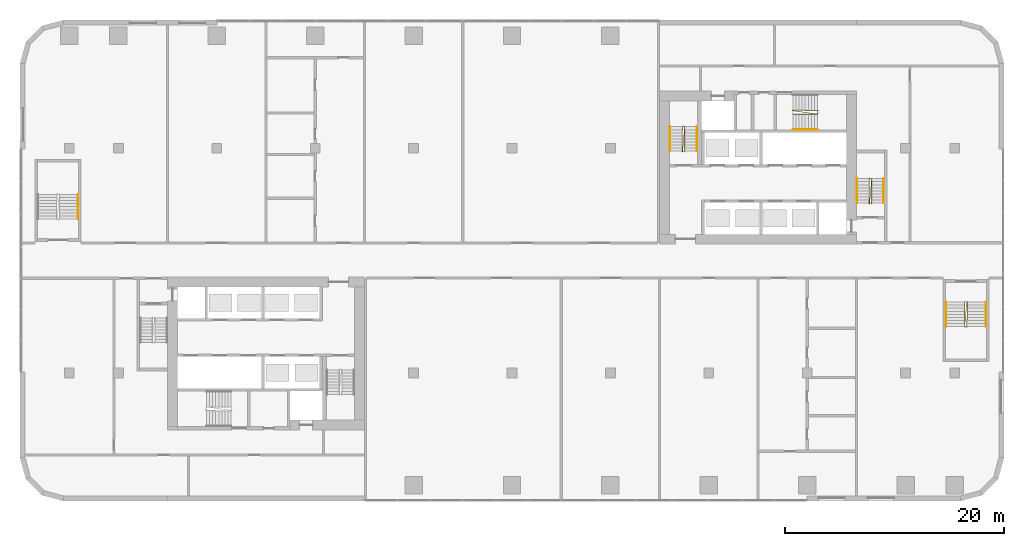
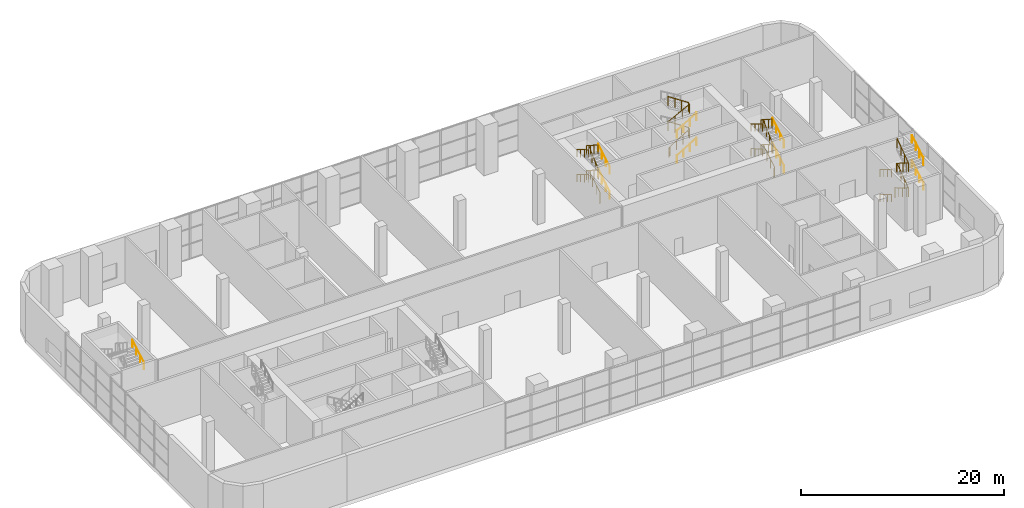
# One storey, part 25 of 27: 19 railings.
"""IFC4 building model written with IfcOpenShell, lengths in metres."""

import ifcopenshell
import ifcopenshell.guid

model = None  # the IFC model being written
_history = None  # IfcOwnerHistory: only IFC2X3 demands one
_inside = {}  # id of a spatial element -> (the spatial element, [elements in it])
_under = {}  # id of a project, library or spatial element -> (it, [spatial elements below it])
_declared = {}  # id of a project -> (the project, [libraries it declares])
_typed = {}  # id of a type object -> (the type object, [elements of that type])
_made_of = {}  # id of a material, layer set ... -> (it, [elements and type objects made of it])


def new_model(schema):
    """Start an empty IFC model of exactly this schema.

    Asked for "IFC4X3", IfcOpenShell would pick the latest addendum, in which some entities
    have other attributes; the version numbers below select the first issue.
    IFC2X3 requires an IfcOwnerHistory on every rooted entity: one is made here for all.
    """
    global model, _history
    if schema == "IFC4X3":
        model = ifcopenshell.file(schema_version=(4, 3, 0, 0))
    else:
        model = ifcopenshell.file(schema=schema)
    _inside.clear()
    _under.clear()
    _declared.clear()
    _typed.clear()
    _made_of.clear()
    _history = None
    if model.schema == "IFC2X3":
        org = make("IfcOrganization", Name="unknown")
        user = make(
            "IfcPersonAndOrganization",
            ThePerson=make("IfcPerson", FamilyName="unknown"),
            TheOrganization=org,
        )
        app = make(
            "IfcApplication",
            ApplicationDeveloper=org,
            Version="unknown",
            ApplicationFullName="unknown",
            ApplicationIdentifier="unknown",
        )
        _history = make(
            "IfcOwnerHistory",
            OwningUser=user,
            OwningApplication=app,
            ChangeAction="ADDED",
            CreationDate=0,
        )
    return model


def make(cls, **values):
    """One entity of the class cls with the attributes given. An attribute that is None is left unset."""
    return model.create_entity(
        cls, **{name: value for name, value in values.items() if value is not None}
    )


def rooted(cls, **values):
    """An entity with a GlobalId (a new one), such as an element, a storey or a relation."""
    return make(cls, GlobalId=ifcopenshell.guid.new(), OwnerHistory=_history, **values)


def si_unit(unit_type, name, prefix=None):
    """IfcSIUnit, for example si_unit("LENGTHUNIT", "METRE", prefix="MILLI")."""
    return make("IfcSIUnit", UnitType=unit_type, Prefix=prefix, Name=name)


def assignment(units):
    """IfcUnitAssignment: the units of a project."""
    return None if units is None else make("IfcUnitAssignment", Units=units)


def point(xyz):
    """IfcCartesianPoint."""
    return None if xyz is None else make("IfcCartesianPoint", Coordinates=xyz)


def direction(xyz):
    """IfcDirection."""
    return None if xyz is None else make("IfcDirection", DirectionRatios=xyz)


def frame(location, z_axis=None, x_axis=None):
    """IfcAxis2Placement3D, a coordinate frame: its origin and axes. An axis left out is left unset."""
    return make(
        "IfcAxis2Placement3D",
        Location=point(location),
        Axis=direction(z_axis),
        RefDirection=direction(x_axis),
    )


def frame_2d(location, x_axis=None):
    """IfcAxis2Placement2D, a coordinate frame in the plane: its origin and x axis."""
    return make(
        "IfcAxis2Placement2D", Location=point(location), RefDirection=direction(x_axis)
    )


def origin():
    """The frame at (0, 0, 0) with its axes left unset."""
    return frame((0.0, 0.0, 0.0))


def origin_2d():
    """The frame at (0, 0) in the plane with its x axis left unset."""
    return frame_2d((0.0, 0.0))


def place(relative_to, where):
    """IfcLocalPlacement: puts the frame where relative to a parent placement (None: the world)."""
    return make(
        "IfcLocalPlacement", PlacementRelTo=relative_to, RelativePlacement=where
    )


def context(
    kind, dimensions, precision=None, world=None, true_north=None, identifier=None
):
    """IfcGeometricRepresentationContext, for example the 3D "Model" context."""
    return make(
        "IfcGeometricRepresentationContext",
        ContextIdentifier=identifier,
        ContextType=kind,
        CoordinateSpaceDimension=dimensions,
        Precision=precision,
        WorldCoordinateSystem=world,
        TrueNorth=true_north,
    )


def subcontext(parent, identifier, kind, view, scale=None):
    """IfcGeometricRepresentationSubContext, for example "Body" below "Model"."""
    return make(
        "IfcGeometricRepresentationSubContext",
        ContextIdentifier=identifier,
        ContextType=kind,
        ParentContext=parent,
        TargetScale=scale,
        TargetView=view,
    )


def project(units=None, contexts=None):
    """IfcProject with its units and contexts."""
    return rooted(
        "IfcProject",
        Name="project",
        RepresentationContexts=contexts,
        UnitsInContext=assignment(units),
    )


def spatial(cls, under=None, at=None, **own):
    """A site, building, storey or space (cls), placed at a placement, below another one or the project."""
    s = rooted(cls, ObjectPlacement=at, **own)
    if under is not None:
        _under.setdefault(under.id(), (under, []))[1].append(s)
    return s


def profile(cls, at=None, kind="AREA", **sizes):
    """A parametric profile (cls). Its sizes go by their IFC names, for example OverallWidth=200.0."""
    return make(cls, ProfileType=kind, Position=at, **sizes)


def circle(**sizes):
    """IfcCircleProfileDef."""
    return profile("IfcCircleProfileDef", **sizes)


def extrude(swept, where, along, depth):
    """IfcExtrudedAreaSolid: the profile swept, set in the frame where, extruded along a direction by depth."""
    return make(
        "IfcExtrudedAreaSolid",
        SweptArea=swept,
        Position=where,
        ExtrudedDirection=direction(along),
        Depth=depth,
    )


def shape(context_of_items, identifier, shape_type, items):
    """IfcShapeRepresentation: the items that make up one representation, for example the "Body"."""
    return make(
        "IfcShapeRepresentation",
        ContextOfItems=context_of_items,
        RepresentationIdentifier=identifier,
        RepresentationType=shape_type,
        Items=items,
    )


def material(Name=None, Category=None):
    """IfcMaterial."""
    return make("IfcMaterial", Name=Name, Category=Category)


def made_of(thing, what):
    """Note that an element or type object is made of a material, layer set ...; save() writes the relation."""
    if what is not None:
        _made_of.setdefault(what.id(), (what, []))[1].append(thing)
    return thing


def type_object(cls, material=None, **own):
    """A type object (cls), such as IfcWallType, which elements share."""
    return made_of(rooted(cls, **own), material)


def element(
    cls,
    number,
    at=None,
    inside=None,
    cuts=None,
    type_object=None,
    material=None,
    context=None,
    identifier="Body",
    shape_type=None,
    held_by="IfcProductDefinitionShape",
    body=None,
    shapes=None,
    **own,
):
    """One element of the class cls, such as IfcWall. Its Tag is "e" and its number.

    at: its placement. inside: the storey or other place that contains it. cuts: it is an
    opening in that element (IfcRelVoidsElement). A single representation is given by context,
    identifier, shape_type and body (its items); several are given by shapes. held_by: the class
    of the entity that holds the representations. save() writes the other relations.
    """
    e = rooted(cls, Tag="e%d" % number, ObjectPlacement=at, **own)
    if body is not None:
        shapes = [shape(context, identifier, shape_type, body)]
    if shapes is not None:
        e.Representation = make(held_by, Representations=shapes)
    if inside is not None:
        _inside.setdefault(inside.id(), (inside, []))[1].append(e)
    if cuts is not None:
        rooted(
            "IfcRelVoidsElement", RelatingBuildingElement=cuts, RelatedOpeningElement=e
        )
    if type_object is not None:
        _typed.setdefault(type_object.id(), (type_object, []))[1].append(e)
    return made_of(e, material)


def aggregate(whole, parts):
    """IfcRelAggregates: a whole, such as a stair, and the parts it consists of."""
    return rooted("IfcRelAggregates", RelatingObject=whole, RelatedObjects=parts)


def save(model, path):
    """Write the relations noted so far, then the file.

    IfcRelAggregates (storeys below a building ...), IfcRelContainedInSpatialStructure (elements
    in a storey), IfcRelDefinesByType, IfcRelAssociatesMaterial and IfcRelDeclares: one each for
    every whole, place, type object, material and project.
    """
    for whole, parts in _under.values():
        aggregate(whole, parts)
    for where, things in _inside.values():
        rooted(
            "IfcRelContainedInSpatialStructure",
            RelatedElements=things,
            RelatingStructure=where,
        )
    for kind, things in _typed.values():
        rooted("IfcRelDefinesByType", RelatedObjects=things, RelatingType=kind)
    for what, things in _made_of.values():
        rooted("IfcRelAssociatesMaterial", RelatedObjects=things, RelatingMaterial=what)
    for by, libraries in _declared.values():
        rooted("IfcRelDeclares", RelatingContext=by, RelatedDefinitions=libraries)
    model.write(path)


model = new_model("IFC4")

# Units and contexts
model_context = context("Model", 3, precision=1e-05, world=origin(), true_north=direction((0.0, 1.0)))
body_context = subcontext(model_context, "Body", "Model", "MODEL_VIEW")
ifc_project = project(units=[si_unit("LENGTHUNIT", "METRE"), si_unit("AREAUNIT", "SQUARE_METRE"), si_unit("VOLUMEUNIT", "CUBIC_METRE"), si_unit("PLANEANGLEUNIT", "RADIAN"), si_unit("MASSUNIT", "GRAM", prefix="KILO")], contexts=[model_context])

# Site, building, storey
site_placement = place(None, origin())
site = spatial("IfcSite", under=ifc_project, at=site_placement, CompositionType="ELEMENT")
building_placement = place(site_placement, origin())
building = spatial("IfcBuilding", under=site, at=building_placement, Name="Kajstack Hotel Tower", CompositionType="ELEMENT")
storey_placement = place(building_placement, frame((0.0, 0.0, 11.0)))
storey = spatial("IfcBuildingStorey", under=building, at=storey_placement, Name="L01", CompositionType="ELEMENT", Elevation=11.0)

# Railings
ifc_material = material(Name="Steel S355J2", Category="steel")
railing_type_1 = type_object("IfcRailingType", Name="Stair guard 1100", PredefinedType="GUARDRAIL", material=ifc_material)
railing_1_placement = place(storey_placement, frame((32.85009765625, 5.199951171875, 0.0)))
element("IfcRailing", 1, at=railing_1_placement, inside=storey, type_object=railing_type_1, Name="L01 E1 stair guard 1", PredefinedType="GUARDRAIL", context=body_context, shape_type="SweptSolid", body=[
    extrude(circle(Radius=0.02392578125, at=origin_2d()), frame((0.0, 0.0, 1.076171875), z_axis=(0.275041040955, 0.276389281352, 0.920848191041), x_axis=(-0.708833529934, 0.705375805398, 0.0)), (0.0, 0.0, 1.0), 0.18115234375),
    extrude(circle(Radius=0.02392578125, at=origin_2d()), frame((0.0498046875, 0.050048828125, 1.24267578125), z_axis=(0.0, 0.859305625298, 0.511462454469), x_axis=(-1.0, 0.0, 0.0)), (0.0, 0.0, 1.0), 2.606689453125),
    extrude(circle(Radius=0.02392578125, at=origin_2d()), frame((0.0498046875, 2.2900390625, 2.576171875), z_axis=(-0.970072785993, 0.242814311512, 0.0), x_axis=(-0.242814311512, -0.970072785993, 0.0)), (0.0, 0.0, 1.0), 0.2060546875),
    extrude(circle(Radius=0.02392578125, at=origin_2d()), frame((-0.150146484375, 2.340087890625, 2.576171875), z_axis=(-0.01827916782, -0.836383386104, 0.547840034565), x_axis=(0.999761264773, -0.0218497931, 0.0)), (0.0, 0.0, 1.0), 2.738037109375),
    extrude(circle(Radius=0.02392578125, at=origin_2d()), frame((-0.2001953125, 0.050048828125, 4.076171875), z_axis=(0.707106781187, -0.707106781187, 0.0), x_axis=(0.707106781187, 0.707106781187, 0.0)), (0.0, 0.0, 1.0), 0.07080078125),
    extrude(circle(Radius=0.02392578125, at=origin_2d()), frame((-0.150146484375, 0.0, 4.076171875), z_axis=(0.072845657923, 0.83430069758, 0.546475851378), x_axis=(-0.996209839609, 0.086982500921, 0.0)), (0.0, 0.0, 1.0), 2.744873046875),
    extrude(circle(Radius=0.02392578125, at=origin_2d()), frame((0.0498046875, 2.2900390625, 5.576171875), z_axis=(-0.970072785993, 0.242814311512, 0.0), x_axis=(-0.242814311512, -0.970072785993, 0.0)), (0.0, 0.0, 1.0), 0.2060546875),
    extrude(circle(Radius=0.02392578125, at=origin_2d()), frame((-0.150146484375, 2.340087890625, 5.576171875), z_axis=(-0.01827916782, -0.836383386104, 0.547840034565), x_axis=(0.999761264773, -0.0218497931, 0.0)), (0.0, 0.0, 1.0), 2.738037109375),
    extrude(circle(Radius=0.02099609375, at=origin_2d()), origin(), (0.0, 0.0, 1.0), 1.052001953125),
    extrude(circle(Radius=0.02099609375, at=origin_2d()), frame((0.0498046875, 0.050048828125, 0.166748046875)), (0.0, 0.0, 1.0), 1.052001953125),
    extrude(circle(Radius=0.02099609375, at=origin_2d()), frame((0.0498046875, 0.796630859375, 0.611083984375)), (0.0, 0.0, 1.0), 1.052001953125),
    extrude(circle(Radius=0.02099609375, at=origin_2d()), frame((0.0498046875, 1.54345703125, 1.0556640625)), (0.0, 0.0, 1.0), 1.052001953125),
    extrude(circle(Radius=0.02099609375, at=origin_2d()), frame((0.0498046875, 2.2900390625, 1.5)), (0.0, 0.0, 1.0), 1.052001953125),
    extrude(circle(Radius=0.02099609375, at=origin_2d()), frame((-0.150146484375, 2.340087890625, 1.5)), (0.0, 0.0, 1.0), 1.052001953125),
    extrude(circle(Radius=0.02099609375, at=origin_2d()), frame((-0.166748046875, 1.57666015625, 2.0)), (0.0, 0.0, 1.0), 1.052001953125),
    extrude(circle(Radius=0.02099609375, at=origin_2d()), frame((-0.18359375, 0.8134765625, 2.5)), (0.0, 0.0, 1.0), 1.052001953125),
    extrude(circle(Radius=0.02099609375, at=origin_2d()), frame((-0.2001953125, 0.050048828125, 3.0)), (0.0, 0.0, 1.0), 1.052001953125),
    extrude(circle(Radius=0.02099609375, at=origin_2d()), frame((-0.150146484375, 0.0, 3.0)), (0.0, 0.0, 1.0), 1.052001953125),
    extrude(circle(Radius=0.02099609375, at=origin_2d()), frame((-0.08349609375, 0.763427734375, 3.5)), (0.0, 0.0, 1.0), 1.052001953125),
    extrude(circle(Radius=0.02099609375, at=origin_2d()), frame((-0.016845703125, 1.526611328125, 4.0)), (0.0, 0.0, 1.0), 1.052001953125),
    extrude(circle(Radius=0.02099609375, at=origin_2d()), frame((0.0498046875, 2.2900390625, 4.5)), (0.0, 0.0, 1.0), 1.052001953125),
    extrude(circle(Radius=0.02099609375, at=origin_2d()), frame((-0.150146484375, 2.340087890625, 4.5)), (0.0, 0.0, 1.0), 1.052001953125),
    extrude(circle(Radius=0.02099609375, at=origin_2d()), frame((-0.166748046875, 1.57666015625, 5.0)), (0.0, 0.0, 1.0), 1.052001953125),
    extrude(circle(Radius=0.02099609375, at=origin_2d()), frame((-0.18359375, 0.8134765625, 5.5)), (0.0, 0.0, 1.0), 1.052001953125),
    extrude(circle(Radius=0.02099609375, at=origin_2d()), frame((-0.2001953125, 0.050048828125, 6.0)), (0.0, 0.0, 1.0), 1.052001953125),
])
railing_2_placement = place(storey_placement, frame((15.75, 9.949951171875, 0.0)))
element("IfcRailing", 2, at=railing_2_placement, inside=storey, type_object=railing_type_1, Name="L01 E2 stair guard 1", PredefinedType="GUARDRAIL", context=body_context, shape_type="SweptSolid", body=[
    extrude(circle(Radius=0.02392578125, at=origin_2d()), frame((0.0, 0.0, 1.076171875), z_axis=(0.27628659633, 0.27628659633, 0.920506074601), x_axis=(-0.707106781187, 0.707106781187, 0.0)), (0.0, 0.0, 1.0), 0.18115234375),
    extrude(circle(Radius=0.02392578125, at=origin_2d()), frame((0.050048828125, 0.050048828125, 1.24267578125), z_axis=(0.0, 0.859305625298, 0.511462454469), x_axis=(-1.0, 0.0, 0.0)), (0.0, 0.0, 1.0), 2.606689453125),
    extrude(circle(Radius=0.02392578125, at=origin_2d()), frame((0.050048828125, 2.2900390625, 2.576171875), z_axis=(-0.970072785993, 0.242814311512, 0.0), x_axis=(-0.242814311512, -0.970072785993, 0.0)), (0.0, 0.0, 1.0), 0.2060546875),
    extrude(circle(Radius=0.02392578125, at=origin_2d()), frame((-0.14990234375, 2.340087890625, 2.576171875), z_axis=(-0.01827916782, -0.836383386104, 0.547840034565), x_axis=(0.999761264773, -0.0218497931, 0.0)), (0.0, 0.0, 1.0), 2.738037109375),
    extrude(circle(Radius=0.02392578125, at=origin_2d()), frame((-0.199951171875, 0.050048828125, 4.076171875), z_axis=(0.707106781187, -0.707106781187, 0.0), x_axis=(0.707106781187, 0.707106781187, 0.0)), (0.0, 0.0, 1.0), 0.07080078125),
    extrude(circle(Radius=0.02392578125, at=origin_2d()), frame((-0.14990234375, 0.0, 4.076171875), z_axis=(0.072845657923, 0.83430069758, 0.546475851378), x_axis=(-0.996209839609, 0.086982500921, 0.0)), (0.0, 0.0, 1.0), 2.744873046875),
    extrude(circle(Radius=0.02392578125, at=origin_2d()), frame((0.050048828125, 2.2900390625, 5.576171875), z_axis=(-0.970072785993, 0.242814311512, 0.0), x_axis=(-0.242814311512, -0.970072785993, 0.0)), (0.0, 0.0, 1.0), 0.2060546875),
    extrude(circle(Radius=0.02392578125, at=origin_2d()), frame((-0.14990234375, 2.340087890625, 5.576171875), z_axis=(-0.01827916782, -0.836383386104, 0.547840034565), x_axis=(0.999761264773, -0.0218497931, 0.0)), (0.0, 0.0, 1.0), 2.738037109375),
    extrude(circle(Radius=0.02099609375, at=origin_2d()), origin(), (0.0, 0.0, 1.0), 1.052001953125),
    extrude(circle(Radius=0.02099609375, at=origin_2d()), frame((0.050048828125, 0.050048828125, 0.166748046875)), (0.0, 0.0, 1.0), 1.052001953125),
    extrude(circle(Radius=0.02099609375, at=origin_2d()), frame((0.050048828125, 0.796630859375, 0.611083984375)), (0.0, 0.0, 1.0), 1.052001953125),
    extrude(circle(Radius=0.02099609375, at=origin_2d()), frame((0.050048828125, 1.54345703125, 1.0556640625)), (0.0, 0.0, 1.0), 1.052001953125),
    extrude(circle(Radius=0.02099609375, at=origin_2d()), frame((0.050048828125, 2.2900390625, 1.5)), (0.0, 0.0, 1.0), 1.052001953125),
    extrude(circle(Radius=0.02099609375, at=origin_2d()), frame((-0.14990234375, 2.340087890625, 1.5)), (0.0, 0.0, 1.0), 1.052001953125),
    extrude(circle(Radius=0.02099609375, at=origin_2d()), frame((-0.16650390625, 1.57666015625, 2.0)), (0.0, 0.0, 1.0), 1.052001953125),
    extrude(circle(Radius=0.02099609375, at=origin_2d()), frame((-0.183349609375, 0.8134765625, 2.5)), (0.0, 0.0, 1.0), 1.052001953125),
    extrude(circle(Radius=0.02099609375, at=origin_2d()), frame((-0.199951171875, 0.050048828125, 3.0)), (0.0, 0.0, 1.0), 1.052001953125),
    extrude(circle(Radius=0.02099609375, at=origin_2d()), frame((-0.14990234375, 0.0, 3.0)), (0.0, 0.0, 1.0), 1.052001953125),
    extrude(circle(Radius=0.02099609375, at=origin_2d()), frame((-0.083251953125, 0.763427734375, 3.5)), (0.0, 0.0, 1.0), 1.052001953125),
    extrude(circle(Radius=0.02099609375, at=origin_2d()), frame((-0.0166015625, 1.526611328125, 4.0)), (0.0, 0.0, 1.0), 1.052001953125),
    extrude(circle(Radius=0.02099609375, at=origin_2d()), frame((0.050048828125, 2.2900390625, 4.5)), (0.0, 0.0, 1.0), 1.052001953125),
    extrude(circle(Radius=0.02099609375, at=origin_2d()), frame((-0.14990234375, 2.340087890625, 4.5)), (0.0, 0.0, 1.0), 1.052001953125),
    extrude(circle(Radius=0.02099609375, at=origin_2d()), frame((-0.16650390625, 1.57666015625, 5.0)), (0.0, 0.0, 1.0), 1.052001953125),
    extrude(circle(Radius=0.02099609375, at=origin_2d()), frame((-0.183349609375, 0.8134765625, 5.5)), (0.0, 0.0, 1.0), 1.052001953125),
    extrude(circle(Radius=0.02099609375, at=origin_2d()), frame((-0.199951171875, 0.050048828125, 6.0)), (0.0, 0.0, 1.0), 1.052001953125),
])
railing_3_placement = place(storey_placement, frame((25.64990234375, 13.449951171875, 0.0)))
element("IfcRailing", 3, at=railing_3_placement, inside=storey, type_object=railing_type_1, Name="L01 E3 stair guard 1", PredefinedType="GUARDRAIL", context=body_context, shape_type="SweptSolid", body=[
    extrude(circle(Radius=0.02392578125, at=origin_2d()), frame((0.0, 0.0, 1.076171875), z_axis=(0.27628659633, -0.27628659633, 0.920506074601), x_axis=(0.707106781187, 0.707106781187, 0.0)), (0.0, 0.0, 1.0), 0.18115234375),
    extrude(circle(Radius=0.02392578125, at=origin_2d()), frame((0.050048828125, -0.050048828125, 1.24267578125), z_axis=(0.859305625298, 0.0, 0.511462454469), x_axis=(0.0, 1.0, 0.0)), (0.0, 0.0, 1.0), 2.606689453125),
    extrude(circle(Radius=0.02392578125, at=origin_2d()), frame((2.2900390625, -0.050048828125, 2.576171875), z_axis=(0.164529134168, 0.986372223864, 0.0), x_axis=(-0.986372223864, 0.164529134168, 0.0)), (0.0, 0.0, 1.0), 0.30419921875),
    extrude(circle(Radius=0.02392578125, at=origin_2d()), frame((2.340087890625, 0.25, 2.576171875), z_axis=(-0.836383386104, 0.01827916782, 0.547840034565), x_axis=(-0.0218497931, -0.999761264773, 0.0)), (0.0, 0.0, 1.0), 2.738037109375),
    extrude(circle(Radius=0.02392578125, at=origin_2d()), frame((0.050048828125, 0.300048828125, 4.076171875), z_axis=(-0.707106781187, -0.707106781187, 0.0), x_axis=(0.707106781187, -0.707106781187, 0.0)), (0.0, 0.0, 1.0), 0.07080078125),
    extrude(circle(Radius=0.02392578125, at=origin_2d()), frame((0.0, 0.25, 4.076171875), z_axis=(0.83154336719, -0.108951684251, 0.544669770577), x_axis=(0.129913080979, 0.991525386155, 0.0)), (0.0, 0.0, 1.0), 2.75390625),
    extrude(circle(Radius=0.02392578125, at=origin_2d()), frame((2.2900390625, -0.050048828125, 5.576171875), z_axis=(0.164529134168, 0.986372223864, 0.0), x_axis=(-0.986372223864, 0.164529134168, 0.0)), (0.0, 0.0, 1.0), 0.30419921875),
    extrude(circle(Radius=0.02392578125, at=origin_2d()), frame((2.340087890625, 0.25, 5.576171875), z_axis=(-0.836383386104, 0.01827916782, 0.547840034565), x_axis=(-0.0218497931, -0.999761264773, 0.0)), (0.0, 0.0, 1.0), 2.738037109375),
    extrude(circle(Radius=0.02099609375, at=origin_2d()), origin(), (0.0, 0.0, 1.0), 1.052001953125),
    extrude(circle(Radius=0.02099609375, at=origin_2d()), frame((0.050048828125, -0.050048828125, 0.166748046875)), (0.0, 0.0, 1.0), 1.052001953125),
    extrude(circle(Radius=0.02099609375, at=origin_2d()), frame((0.796630859375, -0.050048828125, 0.611083984375)), (0.0, 0.0, 1.0), 1.052001953125),
    extrude(circle(Radius=0.02099609375, at=origin_2d()), frame((1.54345703125, -0.050048828125, 1.0556640625)), (0.0, 0.0, 1.0), 1.052001953125),
    extrude(circle(Radius=0.02099609375, at=origin_2d()), frame((2.2900390625, -0.050048828125, 1.5)), (0.0, 0.0, 1.0), 1.052001953125),
    extrude(circle(Radius=0.02099609375, at=origin_2d()), frame((2.340087890625, 0.25, 1.5)), (0.0, 0.0, 1.0), 1.052001953125),
    extrude(circle(Radius=0.02099609375, at=origin_2d()), frame((1.57666015625, 0.2666015625, 2.0)), (0.0, 0.0, 1.0), 1.052001953125),
    extrude(circle(Radius=0.02099609375, at=origin_2d()), frame((0.8134765625, 0.283447265625, 2.5)), (0.0, 0.0, 1.0), 1.052001953125),
    extrude(circle(Radius=0.02099609375, at=origin_2d()), frame((0.050048828125, 0.300048828125, 3.0)), (0.0, 0.0, 1.0), 1.052001953125),
    extrude(circle(Radius=0.02099609375, at=origin_2d()), frame((0.0, 0.25, 3.0)), (0.0, 0.0, 1.0), 1.052001953125),
    extrude(circle(Radius=0.02099609375, at=origin_2d()), frame((0.763427734375, 0.14990234375, 3.5)), (0.0, 0.0, 1.0), 1.052001953125),
    extrude(circle(Radius=0.02099609375, at=origin_2d()), frame((1.526611328125, 0.050048828125, 4.0)), (0.0, 0.0, 1.0), 1.052001953125),
    extrude(circle(Radius=0.02099609375, at=origin_2d()), frame((2.2900390625, -0.050048828125, 4.5)), (0.0, 0.0, 1.0), 1.052001953125),
    extrude(circle(Radius=0.02099609375, at=origin_2d()), frame((2.340087890625, 0.25, 4.5)), (0.0, 0.0, 1.0), 1.052001953125),
    extrude(circle(Radius=0.02099609375, at=origin_2d()), frame((1.57666015625, 0.2666015625, 5.0)), (0.0, 0.0, 1.0), 1.052001953125),
    extrude(circle(Radius=0.02099609375, at=origin_2d()), frame((0.8134765625, 0.283447265625, 5.5)), (0.0, 0.0, 1.0), 1.052001953125),
    extrude(circle(Radius=0.02099609375, at=origin_2d()), frame((0.050048828125, 0.300048828125, 6.0)), (0.0, 0.0, 1.0), 1.052001953125),
])
railing_4_placement = place(storey_placement, frame((41.449951171875, -3.75, 0.0)))
element("IfcRailing", 4, at=railing_4_placement, inside=storey, type_object=railing_type_1, Name="L01 P2 stair guard 1", PredefinedType="GUARDRAIL", context=body_context, shape_type="SweptSolid", body=[
    extrude(circle(Radius=0.02392578125, at=origin_2d()), frame((0.0, 0.0, 1.076171875), z_axis=(-0.27628659633, -0.27628659633, 0.920506074601), x_axis=(0.707106781187, -0.707106781187, 0.0)), (0.0, 0.0, 1.0), 0.18115234375),
    extrude(circle(Radius=0.02392578125, at=origin_2d()), frame((-0.050048828125, -0.050048828125, 1.24267578125), z_axis=(0.0, -0.859305625298, 0.511462454469), x_axis=(1.0, 0.0, 0.0)), (0.0, 0.0, 1.0), 2.606689453125),
    extrude(circle(Radius=0.02392578125, at=origin_2d()), frame((-0.050048828125, -2.2900390625, 2.576171875), z_axis=(0.970142500145, -0.242535625036, 0.0), x_axis=(0.242535625036, 0.970142500145, 0.0)), (0.0, 0.0, 1.0), 0.206298828125),
    extrude(circle(Radius=0.02392578125, at=origin_2d()), frame((0.150146484375, -2.340087890625, 2.576171875), z_axis=(0.018190030723, 0.836384745998, 0.54784092531), x_axis=(-0.999763587393, 0.021743259257, 0.0)), (0.0, 0.0, 1.0), 2.738037109375),
    extrude(circle(Radius=0.02392578125, at=origin_2d()), frame((0.199951171875, -0.050048828125, 4.076171875), z_axis=(-0.705375805398, 0.708833529934, 0.0), x_axis=(-0.708833529934, -0.705375805398, 0.0)), (0.0, 0.0, 1.0), 0.070556640625),
    extrude(circle(Radius=0.02392578125, at=origin_2d()), frame((0.150146484375, 0.0, 4.076171875), z_axis=(-0.072934129716, -0.834295288706, 0.546472308508), x_axis=(0.996200631091, -0.087087901652, 0.0)), (0.0, 0.0, 1.0), 2.744873046875),
    extrude(circle(Radius=0.02392578125, at=origin_2d()), frame((-0.050048828125, -2.2900390625, 5.576171875), z_axis=(0.970142500145, -0.242535625036, 0.0), x_axis=(0.242535625036, 0.970142500145, 0.0)), (0.0, 0.0, 1.0), 0.206298828125),
    extrude(circle(Radius=0.02392578125, at=origin_2d()), frame((0.150146484375, -2.340087890625, 5.576171875), z_axis=(0.018190030723, 0.836384745998, 0.54784092531), x_axis=(-0.999763587393, 0.021743259257, 0.0)), (0.0, 0.0, 1.0), 2.738037109375),
    extrude(circle(Radius=0.02099609375, at=origin_2d()), origin(), (0.0, 0.0, 1.0), 1.052001953125),
    extrude(circle(Radius=0.02099609375, at=origin_2d()), frame((-0.050048828125, -0.050048828125, 0.166748046875)), (0.0, 0.0, 1.0), 1.052001953125),
    extrude(circle(Radius=0.02099609375, at=origin_2d()), frame((-0.050048828125, -0.796630859375, 0.611083984375)), (0.0, 0.0, 1.0), 1.052001953125),
    extrude(circle(Radius=0.02099609375, at=origin_2d()), frame((-0.050048828125, -1.54345703125, 1.0556640625)), (0.0, 0.0, 1.0), 1.052001953125),
    extrude(circle(Radius=0.02099609375, at=origin_2d()), frame((-0.050048828125, -2.2900390625, 1.5)), (0.0, 0.0, 1.0), 1.052001953125),
    extrude(circle(Radius=0.02099609375, at=origin_2d()), frame((0.150146484375, -2.340087890625, 1.5)), (0.0, 0.0, 1.0), 1.052001953125),
    extrude(circle(Radius=0.02099609375, at=origin_2d()), frame((0.166748046875, -1.57666015625, 2.0)), (0.0, 0.0, 1.0), 1.052001953125),
    extrude(circle(Radius=0.02099609375, at=origin_2d()), frame((0.183349609375, -0.8134765625, 2.5)), (0.0, 0.0, 1.0), 1.052001953125),
    extrude(circle(Radius=0.02099609375, at=origin_2d()), frame((0.199951171875, -0.050048828125, 3.0)), (0.0, 0.0, 1.0), 1.052001953125),
    extrude(circle(Radius=0.02099609375, at=origin_2d()), frame((0.150146484375, 0.0, 3.0)), (0.0, 0.0, 1.0), 1.052001953125),
    extrude(circle(Radius=0.02099609375, at=origin_2d()), frame((0.08349609375, -0.763427734375, 3.5)), (0.0, 0.0, 1.0), 1.052001953125),
    extrude(circle(Radius=0.02099609375, at=origin_2d()), frame((0.0166015625, -1.526611328125, 4.0)), (0.0, 0.0, 1.0), 1.052001953125),
    extrude(circle(Radius=0.02099609375, at=origin_2d()), frame((-0.050048828125, -2.2900390625, 4.5)), (0.0, 0.0, 1.0), 1.052001953125),
    extrude(circle(Radius=0.02099609375, at=origin_2d()), frame((0.150146484375, -2.340087890625, 4.5)), (0.0, 0.0, 1.0), 1.052001953125),
    extrude(circle(Radius=0.02099609375, at=origin_2d()), frame((0.166748046875, -1.57666015625, 5.0)), (0.0, 0.0, 1.0), 1.052001953125),
    extrude(circle(Radius=0.02099609375, at=origin_2d()), frame((0.183349609375, -0.8134765625, 5.5)), (0.0, 0.0, 1.0), 1.052001953125),
    extrude(circle(Radius=0.02099609375, at=origin_2d()), frame((0.199951171875, -0.050048828125, 6.0)), (0.0, 0.0, 1.0), 1.052001953125),
])
railing_type_2 = type_object("IfcRailingType", Name="Stair handrail 900", PredefinedType="HANDRAIL", material=ifc_material)
railing_5_placement = place(storey_placement, frame((34.0, 5.25, 0.166748046875)))
element("IfcRailing", 5, at=railing_5_placement, inside=storey, type_object=railing_type_2, Name="L01 E1 stair handrail 1", PredefinedType="HANDRAIL", context=body_context, shape_type="SweptSolid", body=[
    extrude(circle(Radius=0.02392578125, at=origin_2d()), frame((0.0, 0.0, 0.8759765625), z_axis=(0.0, 0.859305625298, 0.511462454469), x_axis=(-1.0, 0.0, 0.0)), (0.0, 0.0, 1.0), 2.606689453125),
    extrude(circle(Radius=0.02099609375, at=origin_2d()), origin(), (0.0, 0.0, 1.0), 0.851806640625),
    extrude(circle(Radius=0.02099609375, at=origin_2d()), frame((0.0, 0.74658203125, 0.4443359375)), (0.0, 0.0, 1.0), 0.851806640625),
    extrude(circle(Radius=0.02099609375, at=origin_2d()), frame((0.0, 1.493408203125, 0.888916015625)), (0.0, 0.0, 1.0), 0.851806640625),
    extrude(circle(Radius=0.02099609375, at=origin_2d()), frame((0.0, 2.239990234375, 1.333251953125)), (0.0, 0.0, 1.0), 0.851806640625),
])
railing_6_placement = place(storey_placement, frame((31.550048828125, 7.489990234375, 1.666748046875)))
element("IfcRailing", 6, at=railing_6_placement, inside=storey, type_object=railing_type_2, Name="L01 E1 stair handrail 2", PredefinedType="HANDRAIL", context=body_context, shape_type="SweptSolid", body=[
    extrude(circle(Radius=0.02392578125, at=origin_2d()), frame((0.0, 0.0, 0.8759765625), z_axis=(0.0, -0.859305625298, 0.511462454469), x_axis=(1.0, 0.0, 0.0)), (0.0, 0.0, 1.0), 2.606689453125),
    extrude(circle(Radius=0.02099609375, at=origin_2d()), origin(), (0.0, 0.0, 1.0), 0.851806640625),
    extrude(circle(Radius=0.02099609375, at=origin_2d()), frame((0.0, -0.74658203125, 0.4443359375)), (0.0, 0.0, 1.0), 0.851806640625),
    extrude(circle(Radius=0.02099609375, at=origin_2d()), frame((0.0, -1.493408203125, 0.888916015625)), (0.0, 0.0, 1.0), 0.851806640625),
    extrude(circle(Radius=0.02099609375, at=origin_2d()), frame((0.0, -2.239990234375, 1.333251953125)), (0.0, 0.0, 1.0), 0.851806640625),
])
railing_7_placement = place(storey_placement, frame((34.0, 5.25, 3.166748046875)))
element("IfcRailing", 7, at=railing_7_placement, inside=storey, type_object=railing_type_2, Name="L01 E1 stair handrail 3", PredefinedType="HANDRAIL", context=body_context, shape_type="SweptSolid", body=[
    extrude(circle(Radius=0.02392578125, at=origin_2d()), frame((0.0, 0.0, 0.8759765625), z_axis=(0.0, 0.859305625298, 0.511462454469), x_axis=(-1.0, 0.0, 0.0)), (0.0, 0.0, 1.0), 2.606689453125),
    extrude(circle(Radius=0.02099609375, at=origin_2d()), origin(), (0.0, 0.0, 1.0), 0.851806640625),
    extrude(circle(Radius=0.02099609375, at=origin_2d()), frame((0.0, 0.74658203125, 0.4443359375)), (0.0, 0.0, 1.0), 0.851806640625),
    extrude(circle(Radius=0.02099609375, at=origin_2d()), frame((0.0, 1.493408203125, 0.888916015625)), (0.0, 0.0, 1.0), 0.851806640625),
    extrude(circle(Radius=0.02099609375, at=origin_2d()), frame((0.0, 2.239990234375, 1.333251953125)), (0.0, 0.0, 1.0), 0.851806640625),
])
railing_8_placement = place(storey_placement, frame((31.550048828125, 7.489990234375, 4.666748046875)))
element("IfcRailing", 8, at=railing_8_placement, inside=storey, type_object=railing_type_2, Name="L01 E1 stair handrail 4", PredefinedType="HANDRAIL", context=body_context, shape_type="SweptSolid", body=[
    extrude(circle(Radius=0.02392578125, at=origin_2d()), frame((0.0, 0.0, 0.8759765625), z_axis=(0.0, -0.859305625298, 0.511462454469), x_axis=(1.0, 0.0, 0.0)), (0.0, 0.0, 1.0), 2.606689453125),
    extrude(circle(Radius=0.02099609375, at=origin_2d()), origin(), (0.0, 0.0, 1.0), 0.851806640625),
    extrude(circle(Radius=0.02099609375, at=origin_2d()), frame((0.0, -0.74658203125, 0.4443359375)), (0.0, 0.0, 1.0), 0.851806640625),
    extrude(circle(Radius=0.02099609375, at=origin_2d()), frame((0.0, -1.493408203125, 0.888916015625)), (0.0, 0.0, 1.0), 0.851806640625),
    extrude(circle(Radius=0.02099609375, at=origin_2d()), frame((0.0, -2.239990234375, 1.333251953125)), (0.0, 0.0, 1.0), 0.851806640625),
])
railing_9_placement = place(storey_placement, frame((16.89990234375, 10.0, 0.166748046875)))
element("IfcRailing", 9, at=railing_9_placement, inside=storey, type_object=railing_type_2, Name="L01 E2 stair handrail 1", PredefinedType="HANDRAIL", context=body_context, shape_type="SweptSolid", body=[
    extrude(circle(Radius=0.02392578125, at=origin_2d()), frame((0.0, 0.0, 0.8759765625), z_axis=(0.0, 0.859305625298, 0.511462454469), x_axis=(-1.0, 0.0, 0.0)), (0.0, 0.0, 1.0), 2.606689453125),
    extrude(circle(Radius=0.02099609375, at=origin_2d()), origin(), (0.0, 0.0, 1.0), 0.851806640625),
    extrude(circle(Radius=0.02099609375, at=origin_2d()), frame((0.0, 0.74658203125, 0.4443359375)), (0.0, 0.0, 1.0), 0.851806640625),
    extrude(circle(Radius=0.02099609375, at=origin_2d()), frame((0.0, 1.493408203125, 0.888916015625)), (0.0, 0.0, 1.0), 0.851806640625),
    extrude(circle(Radius=0.02099609375, at=origin_2d()), frame((0.0, 2.239990234375, 1.333251953125)), (0.0, 0.0, 1.0), 0.851806640625),
])
railing_10_placement = place(storey_placement, frame((14.449951171875, 12.239990234375, 1.666748046875)))
element("IfcRailing", 10, at=railing_10_placement, inside=storey, type_object=railing_type_2, Name="L01 E2 stair handrail 2", PredefinedType="HANDRAIL", context=body_context, shape_type="SweptSolid", body=[
    extrude(circle(Radius=0.02392578125, at=origin_2d()), frame((0.0, 0.0, 0.8759765625), z_axis=(0.0, -0.859305625298, 0.511462454469), x_axis=(1.0, 0.0, 0.0)), (0.0, 0.0, 1.0), 2.606689453125),
    extrude(circle(Radius=0.02099609375, at=origin_2d()), origin(), (0.0, 0.0, 1.0), 0.851806640625),
    extrude(circle(Radius=0.02099609375, at=origin_2d()), frame((0.0, -0.74658203125, 0.4443359375)), (0.0, 0.0, 1.0), 0.851806640625),
    extrude(circle(Radius=0.02099609375, at=origin_2d()), frame((0.0, -1.493408203125, 0.888916015625)), (0.0, 0.0, 1.0), 0.851806640625),
    extrude(circle(Radius=0.02099609375, at=origin_2d()), frame((0.0, -2.239990234375, 1.333251953125)), (0.0, 0.0, 1.0), 0.851806640625),
])
railing_11_placement = place(storey_placement, frame((16.89990234375, 10.0, 3.166748046875)))
element("IfcRailing", 11, at=railing_11_placement, inside=storey, type_object=railing_type_2, Name="L01 E2 stair handrail 3", PredefinedType="HANDRAIL", context=body_context, shape_type="SweptSolid", body=[
    extrude(circle(Radius=0.02392578125, at=origin_2d()), frame((0.0, 0.0, 0.8759765625), z_axis=(0.0, 0.859305625298, 0.511462454469), x_axis=(-1.0, 0.0, 0.0)), (0.0, 0.0, 1.0), 2.606689453125),
    extrude(circle(Radius=0.02099609375, at=origin_2d()), origin(), (0.0, 0.0, 1.0), 0.851806640625),
    extrude(circle(Radius=0.02099609375, at=origin_2d()), frame((0.0, 0.74658203125, 0.4443359375)), (0.0, 0.0, 1.0), 0.851806640625),
    extrude(circle(Radius=0.02099609375, at=origin_2d()), frame((0.0, 1.493408203125, 0.888916015625)), (0.0, 0.0, 1.0), 0.851806640625),
    extrude(circle(Radius=0.02099609375, at=origin_2d()), frame((0.0, 2.239990234375, 1.333251953125)), (0.0, 0.0, 1.0), 0.851806640625),
])
railing_12_placement = place(storey_placement, frame((14.449951171875, 12.239990234375, 4.666748046875)))
element("IfcRailing", 12, at=railing_12_placement, inside=storey, type_object=railing_type_2, Name="L01 E2 stair handrail 4", PredefinedType="HANDRAIL", context=body_context, shape_type="SweptSolid", body=[
    extrude(circle(Radius=0.02392578125, at=origin_2d()), frame((0.0, 0.0, 0.8759765625), z_axis=(0.0, -0.859305625298, 0.511462454469), x_axis=(1.0, 0.0, 0.0)), (0.0, 0.0, 1.0), 2.606689453125),
    extrude(circle(Radius=0.02099609375, at=origin_2d()), origin(), (0.0, 0.0, 1.0), 0.851806640625),
    extrude(circle(Radius=0.02099609375, at=origin_2d()), frame((0.0, -0.74658203125, 0.4443359375)), (0.0, 0.0, 1.0), 0.851806640625),
    extrude(circle(Radius=0.02099609375, at=origin_2d()), frame((0.0, -1.493408203125, 0.888916015625)), (0.0, 0.0, 1.0), 0.851806640625),
    extrude(circle(Radius=0.02099609375, at=origin_2d()), frame((0.0, -2.239990234375, 1.333251953125)), (0.0, 0.0, 1.0), 0.851806640625),
])
for number, where, name in (
    (13, (25.699951171875, 12.0, 0.166748046875), "L01 E3 stair handrail 1"),
    (14, (25.699951171875, 12.0, 3.166748046875), "L01 E3 stair handrail 3"),
):
    element("IfcRailing", number, at=place(storey_placement, frame(where)), inside=storey, type_object=railing_type_2, Name=name, PredefinedType="HANDRAIL", context=body_context, shape_type="SweptSolid", body=[
        extrude(circle(Radius=0.02392578125, at=origin_2d()), frame((0.0, 0.0, 0.8759765625), z_axis=(0.859305625298, 0.0, 0.511462454469), x_axis=(0.0, 1.0, 0.0)), (0.0, 0.0, 1.0), 2.606689453125),
        extrude(circle(Radius=0.02099609375, at=origin_2d()), origin(), (0.0, 0.0, 1.0), 0.851806640625),
        extrude(circle(Radius=0.02099609375, at=origin_2d()), frame((0.74658203125, 0.0, 0.4443359375)), (0.0, 0.0, 1.0), 0.851806640625),
        extrude(circle(Radius=0.02099609375, at=origin_2d()), frame((1.493408203125, 0.0, 0.888916015625)), (0.0, 0.0, 1.0), 0.851806640625),
        extrude(circle(Radius=0.02099609375, at=origin_2d()), frame((2.239990234375, 0.0, 1.333251953125)), (0.0, 0.0, 1.0), 0.851806640625),
    ])
railing_13_placement = place(storey_placement, frame((-39.699951171875, 3.800048828125, 3.166748046875)))
element("IfcRailing", 15, at=railing_13_placement, inside=storey, type_object=railing_type_2, Name="L01 P1 stair handrail 3", PredefinedType="HANDRAIL", context=body_context, shape_type="SweptSolid", body=[
    extrude(circle(Radius=0.02392578125, at=origin_2d()), frame((0.0, 0.0, 0.8759765625), z_axis=(0.0, 0.859305625298, 0.511462454469), x_axis=(-1.0, 0.0, 0.0)), (0.0, 0.0, 1.0), 2.606689453125),
    extrude(circle(Radius=0.02099609375, at=origin_2d()), origin(), (0.0, 0.0, 1.0), 0.851806640625),
    extrude(circle(Radius=0.02099609375, at=origin_2d()), frame((0.0, 0.74658203125, 0.4443359375)), (0.0, 0.0, 1.0), 0.851806640625),
    extrude(circle(Radius=0.02099609375, at=origin_2d()), frame((0.0, 1.493408203125, 0.888916015625)), (0.0, 0.0, 1.0), 0.851806640625),
    extrude(circle(Radius=0.02099609375, at=origin_2d()), frame((0.0, 2.239990234375, 1.333251953125)), (0.0, 0.0, 1.0), 0.851806640625),
])
railing_14_placement = place(storey_placement, frame((39.699951171875, -3.800048828125, 0.166748046875)))
element("IfcRailing", 16, at=railing_14_placement, inside=storey, type_object=railing_type_2, Name="L01 P2 stair handrail 1", PredefinedType="HANDRAIL", context=body_context, shape_type="SweptSolid", body=[
    extrude(circle(Radius=0.02392578125, at=origin_2d()), frame((0.0, 0.0, 0.8759765625), z_axis=(0.0, -0.859305625298, 0.511462454469), x_axis=(1.0, 0.0, 0.0)), (0.0, 0.0, 1.0), 2.606689453125),
    extrude(circle(Radius=0.02099609375, at=origin_2d()), origin(), (0.0, 0.0, 1.0), 0.851806640625),
    extrude(circle(Radius=0.02099609375, at=origin_2d()), frame((0.0, -0.74658203125, 0.4443359375)), (0.0, 0.0, 1.0), 0.851806640625),
    extrude(circle(Radius=0.02099609375, at=origin_2d()), frame((0.0, -1.493408203125, 0.888916015625)), (0.0, 0.0, 1.0), 0.851806640625),
    extrude(circle(Radius=0.02099609375, at=origin_2d()), frame((0.0, -2.239990234375, 1.333251953125)), (0.0, 0.0, 1.0), 0.851806640625),
])
railing_15_placement = place(storey_placement, frame((43.35009765625, -6.0400390625, 1.666748046875)))
element("IfcRailing", 17, at=railing_15_placement, inside=storey, type_object=railing_type_2, Name="L01 P2 stair handrail 2", PredefinedType="HANDRAIL", context=body_context, shape_type="SweptSolid", body=[
    extrude(circle(Radius=0.02392578125, at=origin_2d()), frame((0.0, 0.0, 0.8759765625), z_axis=(0.0, 0.859305625298, 0.511462454469), x_axis=(-1.0, 0.0, 0.0)), (0.0, 0.0, 1.0), 2.606689453125),
    extrude(circle(Radius=0.02099609375, at=origin_2d()), origin(), (0.0, 0.0, 1.0), 0.851806640625),
    extrude(circle(Radius=0.02099609375, at=origin_2d()), frame((0.0, 0.74658203125, 0.4443359375)), (0.0, 0.0, 1.0), 0.851806640625),
    extrude(circle(Radius=0.02099609375, at=origin_2d()), frame((0.0, 1.493408203125, 0.888916015625)), (0.0, 0.0, 1.0), 0.851806640625),
    extrude(circle(Radius=0.02099609375, at=origin_2d()), frame((0.0, 2.239990234375, 1.333251953125)), (0.0, 0.0, 1.0), 0.851806640625),
])
railing_16_placement = place(storey_placement, frame((39.699951171875, -3.800048828125, 3.166748046875)))
element("IfcRailing", 18, at=railing_16_placement, inside=storey, type_object=railing_type_2, Name="L01 P2 stair handrail 3", PredefinedType="HANDRAIL", context=body_context, shape_type="SweptSolid", body=[
    extrude(circle(Radius=0.02392578125, at=origin_2d()), frame((0.0, 0.0, 0.8759765625), z_axis=(0.0, -0.859305625298, 0.511462454469), x_axis=(1.0, 0.0, 0.0)), (0.0, 0.0, 1.0), 2.606689453125),
    extrude(circle(Radius=0.02099609375, at=origin_2d()), origin(), (0.0, 0.0, 1.0), 0.851806640625),
    extrude(circle(Radius=0.02099609375, at=origin_2d()), frame((0.0, -0.74658203125, 0.4443359375)), (0.0, 0.0, 1.0), 0.851806640625),
    extrude(circle(Radius=0.02099609375, at=origin_2d()), frame((0.0, -1.493408203125, 0.888916015625)), (0.0, 0.0, 1.0), 0.851806640625),
    extrude(circle(Radius=0.02099609375, at=origin_2d()), frame((0.0, -2.239990234375, 1.333251953125)), (0.0, 0.0, 1.0), 0.851806640625),
])
railing_17_placement = place(storey_placement, frame((43.35009765625, -6.0400390625, 4.666748046875)))
element("IfcRailing", 19, at=railing_17_placement, inside=storey, type_object=railing_type_2, Name="L01 P2 stair handrail 4", PredefinedType="HANDRAIL", context=body_context, shape_type="SweptSolid", body=[
    extrude(circle(Radius=0.02392578125, at=origin_2d()), frame((0.0, 0.0, 0.8759765625), z_axis=(0.0, 0.859305625298, 0.511462454469), x_axis=(-1.0, 0.0, 0.0)), (0.0, 0.0, 1.0), 2.606689453125),
    extrude(circle(Radius=0.02099609375, at=origin_2d()), origin(), (0.0, 0.0, 1.0), 0.851806640625),
    extrude(circle(Radius=0.02099609375, at=origin_2d()), frame((0.0, 0.74658203125, 0.4443359375)), (0.0, 0.0, 1.0), 0.851806640625),
    extrude(circle(Radius=0.02099609375, at=origin_2d()), frame((0.0, 1.493408203125, 0.888916015625)), (0.0, 0.0, 1.0), 0.851806640625),
    extrude(circle(Radius=0.02099609375, at=origin_2d()), frame((0.0, 2.239990234375, 1.333251953125)), (0.0, 0.0, 1.0), 0.851806640625),
])

save(model, "model.ifc")
